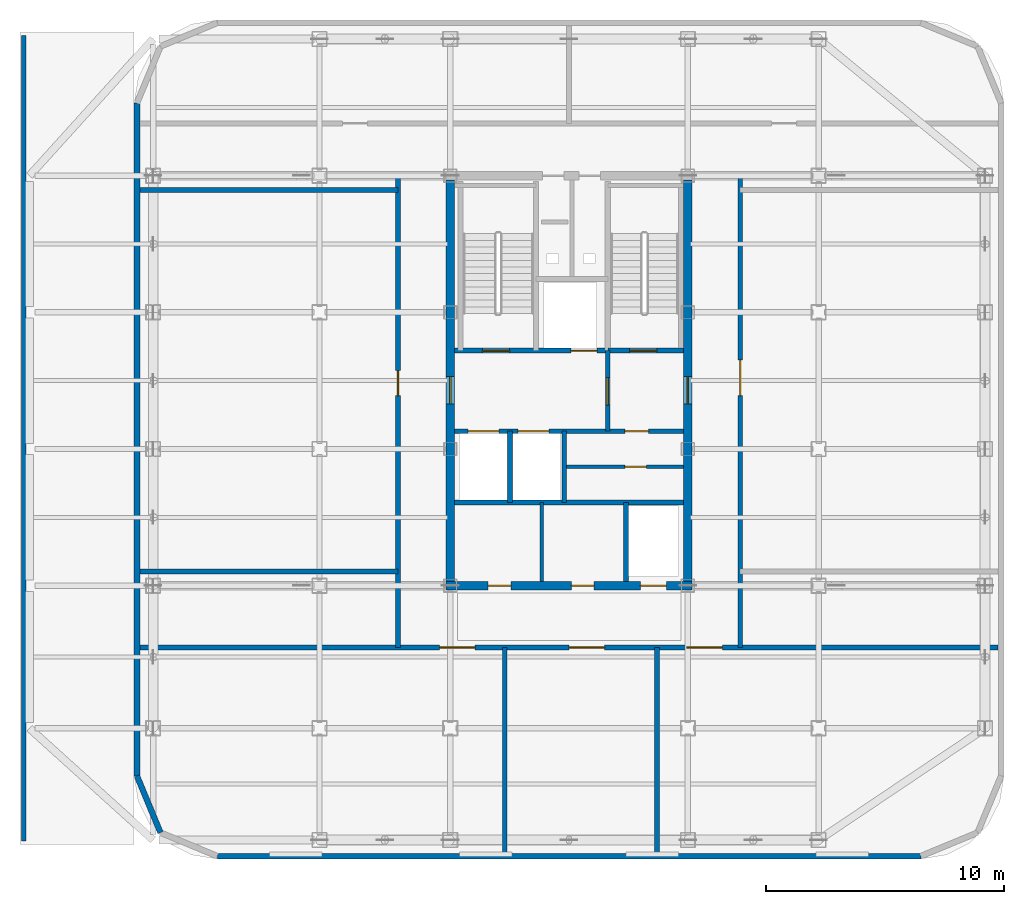
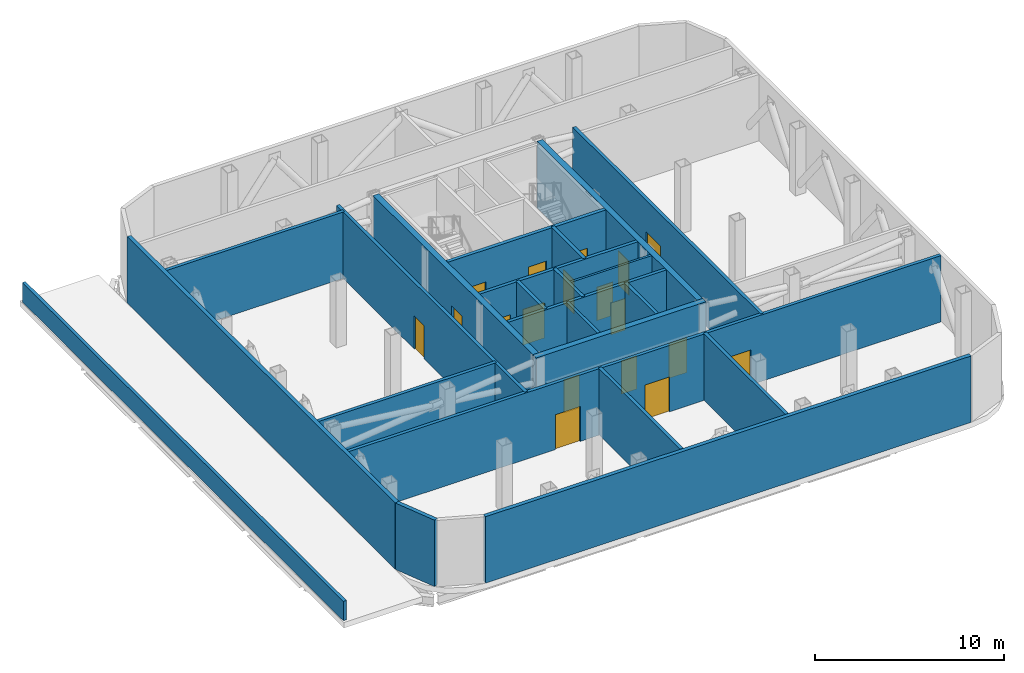
# One storey, part 5 of 7: 24 walls, 18 doors, 18 openings.
"""IFC4 building model written with IfcOpenShell, lengths in metres."""

from ifc_helpers import new_model, si_unit, direction, frame, frame_2d, origin, place, context, subcontext, project, spatial, rectangle, extrude, material, layer, layer_set, type_object, element, fill, save


model = new_model("IFC4")

# Units and contexts
model_context = context("Model", 3, precision=1e-05, world=origin(), true_north=direction((0.0, 1.0)))
body_context = subcontext(model_context, "Body", "Model", "MODEL_VIEW")
ifc_project = project(units=[si_unit("LENGTHUNIT", "METRE"), si_unit("AREAUNIT", "SQUARE_METRE"), si_unit("VOLUMEUNIT", "CUBIC_METRE"), si_unit("PLANEANGLEUNIT", "RADIAN"), si_unit("MASSUNIT", "GRAM", prefix="KILO")], contexts=[model_context])

# Site, building, storey
site_placement = place(None, origin())
site = spatial("IfcSite", under=ifc_project, at=site_placement, CompositionType="ELEMENT")
building_placement = place(site_placement, origin())
building = spatial("IfcBuilding", under=site, at=building_placement, Name="Kolveth Station Tower", CompositionType="ELEMENT")
storey_placement = place(building_placement, frame((0.0, 0.0, 215.60009765625)))
storey = spatial("IfcBuildingStorey", under=building, at=storey_placement, Name="L61", CompositionType="ELEMENT", Elevation=215.60009765625)

# Wall, openings, doors
ifc_material_1 = material(Name="Concrete C50/60", Category="concrete")
ifc_layer_1 = layer(ifc_material_1, 0.35009765625)
ifc_layer_set_1 = layer_set([ifc_layer_1], Name="Concrete C50/60")
wall_type_1 = type_object("IfcWallType", Name="Wall_CW-350", PredefinedType="SHEAR", material=ifc_layer_set_1)
wall_1_placement = place(storey_placement, frame((18.324951171875, 11.5, 0.0), z_axis=(0.0, 0.0, 1.0), x_axis=(1.0, 0.0, 0.0)))
wall_1 = element("IfcWall", 1, at=wall_1_placement, inside=storey, type_object=wall_type_1, Name="L61 Core RC Shear Wall S", PredefinedType="SHEAR", context=body_context, shape_type="SweptSolid", body=[
    extrude(rectangle(XDim=10.35009765625, YDim=0.35009765625, at=frame_2d((5.175048828125, 0.0))), origin(), (0.0, 0.0, 1.0), 4.27978515625),
])
opening_1_placement = place(wall_1_placement, frame((1.77490234375, 0.0, 0.0)))
opening_1 = element("IfcOpeningElement", 2, at=opening_1_placement, cuts=wall_1, Name="Opening ID1", PredefinedType="OPENING", context=body_context, shape_type="SweptSolid", body=[
    extrude(rectangle(XDim=0.949951171875, YDim=2.14990234375, at=frame_2d((0.47509765625, 1.074951171875))), frame((0.0, 0.18505859375, 0.0), z_axis=(0.0, -1.0, 0.0), x_axis=(1.0, 0.0, 0.0)), (0.0, 0.0, 1.0), 0.3701171875),
])
opening_2_placement = place(wall_1_placement, frame((5.27490234375, 0.0, 0.0)))
opening_2 = element("IfcOpeningElement", 3, at=opening_2_placement, cuts=wall_1, Name="Opening ID1", PredefinedType="OPENING", context=body_context, shape_type="SweptSolid", body=[
    extrude(rectangle(XDim=0.949951171875, YDim=2.14990234375, at=frame_2d((0.47509765625, 1.074951171875))), frame((0.0, 0.18505859375, 0.0), z_axis=(0.0, -1.0, 0.0), x_axis=(1.0, 0.0, 0.0)), (0.0, 0.0, 1.0), 0.3701171875),
])
opening_3_placement = place(wall_1_placement, frame((8.175048828125, 0.0, 0.0)))
opening_3 = element("IfcOpeningElement", 4, at=opening_3_placement, cuts=wall_1, Name="Opening LD1", PredefinedType="OPENING", context=body_context, shape_type="SweptSolid", body=[
    extrude(rectangle(XDim=1.10009765625, YDim=2.25, at=frame_2d((0.550048828125, 1.125))), frame((0.0, 0.18505859375, 0.0), z_axis=(0.0, -1.0, 0.0), x_axis=(1.0, 0.0, 0.0)), (0.0, 0.0, 1.0), 0.3701171875),
])
ifc_material_2 = material(Name="Acoustic hardwood leaf and aluminium frame", Category="wood")
door_type_1 = type_object("IfcDoorType", Name="Door_ID1", OperationType="NOTDEFINED", PredefinedType="DOOR", material=ifc_material_2)
door_1_placement = place(opening_1_placement, frame((0.949951171875, 0.0, 0.0), z_axis=(0.0, 0.0, 1.0), x_axis=(-1.0, 0.0, 0.0)))
door_1 = element("IfcDoor", 5, at=door_1_placement, inside=storey, type_object=door_type_1, Name="L61 Laundry Room Door", OperationType="SINGLE_SWING_LEFT", OverallHeight=2.14990234375, OverallWidth=0.949951171875, PredefinedType="DOOR", context=body_context, shape_type="SweptSolid", body=[
    extrude(rectangle(XDim=0.949951171875, YDim=2.14990234375, at=frame_2d((0.47509765625, 1.074951171875))), frame((0.0, 0.02490234375, 0.0), z_axis=(0.0, -1.0, 0.0), x_axis=(1.0, 0.0, 0.0)), (0.0, 0.0, 1.0), 0.050048828125),
])
fill(opening_1, door_1)
door_2_placement = place(opening_2_placement, frame((0.949951171875, 0.0, 0.0), z_axis=(0.0, 0.0, 1.0), x_axis=(-1.0, 0.0, 0.0)))
door_2 = element("IfcDoor", 6, at=door_2_placement, inside=storey, type_object=door_type_1, Name="L61 Parcel Room Door", OperationType="SINGLE_SWING_RIGHT", OverallHeight=2.14990234375, OverallWidth=0.949951171875, PredefinedType="DOOR", context=body_context, shape_type="SweptSolid", body=[
    extrude(rectangle(XDim=0.949951171875, YDim=2.14990234375, at=frame_2d((0.47509765625, 1.074951171875))), frame((0.0, 0.02490234375, 0.0), z_axis=(0.0, -1.0, 0.0), x_axis=(1.0, 0.0, 0.0)), (0.0, 0.0, 1.0), 0.050048828125),
])
fill(opening_2, door_2)
ifc_material_3 = material(Name="Brushed stainless steel sliding landing doors", Category="steel")
door_type_2 = type_object("IfcDoorType", Name="Door_LD1", OperationType="NOTDEFINED", PredefinedType="DOOR", material=ifc_material_3)
door_3_placement = place(opening_3_placement, frame((1.10009765625, 0.0, 0.0), z_axis=(0.0, 0.0, 1.0), x_axis=(-1.0, 0.0, 0.0)))
door_3 = element("IfcDoor", 7, at=door_3_placement, inside=storey, type_object=door_type_2, Name="L61 Lift PH1 Landing Door", OperationType="DOUBLE_DOOR_SLIDING", OverallHeight=2.25, OverallWidth=1.10009765625, PredefinedType="DOOR", context=body_context, shape_type="SweptSolid", body=[
    extrude(rectangle(XDim=1.10009765625, YDim=2.25, at=frame_2d((0.550048828125, 1.125))), frame((0.0, 0.02490234375, 0.0), z_axis=(0.0, -1.0, 0.0), x_axis=(1.0, 0.0, 0.0)), (0.0, 0.0, 1.0), 0.050048828125),
])
fill(opening_3, door_3)

# Wall, opening, door
wall_2_placement = place(storey_placement, frame((18.5, 11.675048828125, 0.0), z_axis=(0.0, 0.0, 1.0), x_axis=(0.0, 1.0, 0.0)))
wall_2 = element("IfcWall", 8, at=wall_2_placement, inside=storey, type_object=wall_type_1, Name="L61 Core RC Shear Wall W", PredefinedType="SHEAR", context=body_context, shape_type="SweptSolid", body=[
    extrude(rectangle(XDim=16.89990234375, YDim=0.35009765625, at=frame_2d((8.449951171875, 0.0))), origin(), (0.0, 0.0, 1.0), 4.27978515625),
])
opening_4_placement = place(wall_2_placement, frame((7.47509765625, 0.0, 0.0)))
opening_4 = element("IfcOpeningElement", 9, at=opening_4_placement, cuts=wall_2, Name="Opening FD1", PredefinedType="OPENING", context=body_context, shape_type="SweptSolid", body=[
    extrude(rectangle(XDim=1.14990234375, YDim=2.199951171875, at=frame_2d((0.574951171875, 1.10009765625))), frame((0.0, 0.18505859375, 0.0), z_axis=(0.0, -1.0, 0.0), x_axis=(1.0, 0.0, 0.0)), (0.0, 0.0, 1.0), 0.3701171875),
])
ifc_material_4 = material(Name="Fire-rated Steel S355 leaf and frame", Category="steel")
door_type_3 = type_object("IfcDoorType", Name="Door_FD1", OperationType="NOTDEFINED", PredefinedType="DOOR", material=ifc_material_4)
door_4_placement = place(opening_4_placement, frame((1.14990234375, 0.0, 0.0), z_axis=(0.0, 0.0, 1.0), x_axis=(-1.0, 0.0, 0.0)))
door_4 = element("IfcDoor", 10, at=door_4_placement, inside=storey, type_object=door_type_3, Name="L61 West Corridor to Firefighting Lobby Door", OperationType="SINGLE_SWING_LEFT", OverallHeight=2.199951171875, OverallWidth=1.14990234375, PredefinedType="DOOR", context=body_context, shape_type="SweptSolid", body=[
    extrude(rectangle(XDim=1.14990234375, YDim=2.199951171875, at=frame_2d((0.574951171875, 1.10009765625))), frame((0.0, 0.02490234375, 0.0), z_axis=(0.0, -1.0, 0.0), x_axis=(1.0, 0.0, 0.0)), (0.0, 0.0, 1.0), 0.050048828125),
])
fill(opening_4, door_4)

wall_3_placement = place(storey_placement, frame((28.5, 11.675048828125, 0.0), z_axis=(0.0, 0.0, 1.0), x_axis=(0.0, 1.0, 0.0)))
wall_3 = element("IfcWall", 11, at=wall_3_placement, inside=storey, type_object=wall_type_1, Name="L61 Core RC Shear Wall E", PredefinedType="SHEAR", context=body_context, shape_type="SweptSolid", body=[
    extrude(rectangle(XDim=16.89990234375, YDim=0.35009765625, at=frame_2d((8.449951171875, 0.0))), origin(), (0.0, 0.0, 1.0), 4.27978515625),
])
opening_5_placement = place(wall_3_placement, frame((7.47509765625, 0.0, 0.0)))
opening_5 = element("IfcOpeningElement", 12, at=opening_5_placement, cuts=wall_3, Name="Opening FD1", PredefinedType="OPENING", context=body_context, shape_type="SweptSolid", body=[
    extrude(rectangle(XDim=1.14990234375, YDim=2.199951171875, at=frame_2d((0.574951171875, 1.10009765625))), frame((0.0, 0.18505859375, 0.0), z_axis=(0.0, -1.0, 0.0), x_axis=(1.0, 0.0, 0.0)), (0.0, 0.0, 1.0), 0.3701171875),
])
door_5_placement = place(opening_5_placement, origin())
door_5 = element("IfcDoor", 13, at=door_5_placement, inside=storey, type_object=door_type_3, Name="L61 East Corridor to Stair Lobby Door", OperationType="SINGLE_SWING_RIGHT", OverallHeight=2.199951171875, OverallWidth=1.14990234375, PredefinedType="DOOR", context=body_context, shape_type="SweptSolid", body=[
    extrude(rectangle(XDim=1.14990234375, YDim=2.199951171875, at=frame_2d((0.574951171875, 1.10009765625))), frame((0.0, 0.02490234375, 0.0), z_axis=(0.0, -1.0, 0.0), x_axis=(1.0, 0.0, 0.0)), (0.0, 0.0, 1.0), 0.050048828125),
])
fill(opening_5, door_5)

# Walls
ifc_material_5 = material(Name="Precast concrete C40/50", Category="concrete")
ifc_layer_2 = layer(ifc_material_5, 0.239990234375)
ifc_layer_set_2 = layer_set([ifc_layer_2], Name="Precast concrete C40/50")
wall_type_2 = type_object("IfcWallType", Name="Wall_EW-240", PredefinedType="SOLIDWALL", material=ifc_layer_set_2)
wall_4_placement = place(storey_placement, frame((5.320068359375, 31.800048828125, 0.0), z_axis=(0.0, 0.0, 1.0), x_axis=(0.0, -1.0, 0.0)))
element("IfcWall", 14, at=wall_4_placement, inside=storey, type_object=wall_type_2, Name="L61 Plant Perimeter Spandrel Wall 9", PredefinedType="SOLIDWALL", context=body_context, shape_type="SweptSolid", body=[
    extrude(rectangle(XDim=28.300048828125, YDim=0.239990234375, at=frame_2d((14.14990234375, 0.0))), origin(), (0.0, 0.0, 1.0), 4.27978515625),
])
wall_5_placement = place(storey_placement, frame((5.320068359375, 3.5, 0.0), z_axis=(0.0, 0.0, 1.0), x_axis=(0.382704654048, -0.923870741917, 0.0)))
element("IfcWall", 15, at=wall_5_placement, inside=storey, type_object=wall_type_2, Name="L61 Plant Perimeter Spandrel Wall 10", PredefinedType="SOLIDWALL", context=body_context, shape_type="SweptSolid", body=[
    extrude(rectangle(XDim=2.5869140625, YDim=0.239990234375, at=frame_2d((1.29345703125, 0.0))), origin(), (0.0, 0.0, 1.0), 4.27978515625),
])
wall_6_placement = place(storey_placement, frame((8.699951171875, 0.1201171875, 0.0), z_axis=(0.0, 0.0, 1.0), x_axis=(1.0, 0.0, 0.0)))
element("IfcWall", 16, at=wall_6_placement, inside=storey, type_object=wall_type_2, Name="L61 Plant Perimeter Spandrel Wall 12", PredefinedType="SOLIDWALL", context=body_context, shape_type="SweptSolid", body=[
    extrude(rectangle(XDim=29.60009765625, YDim=0.239990234375, at=frame_2d((14.800048828125, 0.0))), origin(), (0.0, 0.0, 1.0), 4.27978515625),
])

# Wall, opening, door
ifc_material_6 = material(Name="Moisture-resistant gypsum partition")
ifc_layer_3 = layer(ifc_material_6, 0.135009765625)
ifc_layer_set_3 = layer_set([ifc_layer_3], Name="Moisture-resistant gypsum partition")
wall_type_3 = type_object("IfcWallType", Name="Wall_IW-135", PredefinedType="PARTITIONING", material=ifc_layer_set_3)
wall_7_placement = place(storey_placement, frame((23.300048828125, 16.5, 0.0), z_axis=(0.0, 0.0, 1.0), x_axis=(1.0, 0.0, 0.0)))
wall_7 = element("IfcWall", 17, at=wall_7_placement, inside=storey, type_object=wall_type_3, Name="L61 Partition Wall WL-L61-CB-H1", PredefinedType="PARTITIONING", context=body_context, shape_type="SweptSolid", body=[
    extrude(rectangle(XDim=5.014892578125, YDim=0.135009765625, at=frame_2d((2.50732421875, 0.0))), origin(), (0.0, 0.0, 1.0), 4.27978515625),
])
opening_6_placement = place(wall_7_placement, frame((2.550048828125, 0.0, 0.0)))
opening_6 = element("IfcOpeningElement", 18, at=opening_6_placement, cuts=wall_7, Name="Opening RD1", PredefinedType="OPENING", context=body_context, shape_type="SweptSolid", body=[
    extrude(rectangle(XDim=0.89990234375, YDim=2.050048828125, at=frame_2d((0.449951171875, 1.02490234375))), frame((0.0, 0.077392578125, 0.0), z_axis=(0.0, -1.0, 0.0), x_axis=(1.0, 0.0, 0.0)), (0.0, 0.0, 1.0), 0.155029296875),
])
ifc_material_7 = material(Name="Fire-rated Steel S355 riser access leaf", Category="steel")
door_type_4 = type_object("IfcDoorType", Name="Door_RD1", OperationType="NOTDEFINED", PredefinedType="DOOR", material=ifc_material_7)
door_6_placement = place(opening_6_placement, frame((0.89990234375, 0.0, 0.0), z_axis=(0.0, 0.0, 1.0), x_axis=(-1.0, 0.0, 0.0)))
door_6 = element("IfcDoor", 19, at=door_6_placement, inside=storey, type_object=door_type_4, Name="L61 Core Equipment Store Door", OperationType="SINGLE_SWING_RIGHT", OverallHeight=2.050048828125, OverallWidth=0.89990234375, PredefinedType="DOOR", context=body_context, shape_type="SweptSolid", body=[
    extrude(rectangle(XDim=0.89990234375, YDim=2.050048828125, at=frame_2d((0.449951171875, 1.02490234375))), frame((0.0, 0.02490234375, 0.0), z_axis=(0.0, -1.0, 0.0), x_axis=(1.0, 0.0, 0.0)), (0.0, 0.0, 1.0), 0.050048828125),
])
fill(opening_6, door_6)

# Wall
ifc_material_8 = material(Name="Acoustic double-stud gypsum partition")
ifc_layer_4 = layer(ifc_material_8, 0.1650390625)
ifc_layer_set_4 = layer_set([ifc_layer_4], Name="Acoustic double-stud gypsum partition")
wall_type_4 = type_object("IfcWallType", Name="Wall_IW-165", PredefinedType="PARTITIONING", material=ifc_layer_set_4)
wall_8_placement = place(storey_placement, frame((22.35009765625, 11.68505859375, 0.0), z_axis=(0.0, 0.0, 1.0), x_axis=(0.0, 1.0, 0.0)))
element("IfcWall", 20, at=wall_8_placement, inside=storey, type_object=wall_type_4, Name="L61 Partition Wall WL-L61-FR-M", PredefinedType="PARTITIONING", context=body_context, shape_type="SweptSolid", body=[
    extrude(rectangle(XDim=3.31494140625, YDim=0.1650390625, at=frame_2d((1.657470703125, 0.0))), origin(), (0.0, 0.0, 1.0), 4.27978515625),
])

# Wall, opening, door
ifc_material_9 = material(Name="Acoustic fire-rated gypsum blockwork", Category="masonry")
ifc_layer_5 = layer(ifc_material_9, 0.199951171875)
ifc_layer_set_5 = layer_set([ifc_layer_5], Name="Acoustic fire-rated gypsum blockwork")
wall_type_5 = type_object("IfcWallType", Name="Wall_IW-200", PredefinedType="PARTITIONING", material=ifc_layer_set_5)
wall_9_placement = place(storey_placement, frame((25.1298828125, 18.0, 0.0), z_axis=(0.0, 0.0, 1.0), x_axis=(0.0, 1.0, 0.0)))
wall_9 = element("IfcWall", 21, at=wall_9_placement, inside=storey, type_object=wall_type_5, Name="L61 Partition Wall WL-L61-FFL-E", PredefinedType="PARTITIONING", context=body_context, shape_type="SweptSolid", body=[
    extrude(rectangle(XDim=3.389892578125, YDim=0.199951171875, at=frame_2d((1.69482421875, 0.0))), origin(), (0.0, 0.0, 1.0), 4.27978515625),
])
opening_7_placement = place(wall_9_placement, frame((1.10009765625, 0.0, 0.0)))
opening_7 = element("IfcOpeningElement", 22, at=opening_7_placement, cuts=wall_9, Name="Opening FD1", PredefinedType="OPENING", context=body_context, shape_type="SweptSolid", body=[
    extrude(rectangle(XDim=1.14990234375, YDim=2.199951171875, at=frame_2d((0.574951171875, 1.10009765625))), frame((0.0, 0.10986328125, 0.0), z_axis=(0.0, -1.0, 0.0), x_axis=(1.0, 0.0, 0.0)), (0.0, 0.0, 1.0), 0.219970703125),
])
door_7_placement = place(opening_7_placement, origin())
door_7 = element("IfcDoor", 23, at=door_7_placement, inside=storey, type_object=door_type_3, Name="L61 Firefighting to Stair Lobby Door", OperationType="SINGLE_SWING_RIGHT", OverallHeight=2.199951171875, OverallWidth=1.14990234375, PredefinedType="DOOR", context=body_context, shape_type="SweptSolid", body=[
    extrude(rectangle(XDim=1.14990234375, YDim=2.199951171875, at=frame_2d((0.574951171875, 1.10009765625))), frame((0.0, 0.02490234375, 0.0), z_axis=(0.0, -1.0, 0.0), x_axis=(1.0, 0.0, 0.0)), (0.0, 0.0, 1.0), 0.050048828125),
])
fill(opening_7, door_7)

# Wall, openings, doors
wall_10_placement = place(storey_placement, frame((18.68505859375, 18.0, 0.0), z_axis=(0.0, 0.0, 1.0), x_axis=(1.0, 0.0, 0.0)))
wall_10 = element("IfcWall", 24, at=wall_10_placement, inside=storey, type_object=wall_type_5, Name="L61 Partition Wall WL-L61-FFL-S", PredefinedType="PARTITIONING", context=body_context, shape_type="SweptSolid", body=[
    extrude(rectangle(XDim=9.6298828125, YDim=0.199951171875, at=frame_2d((4.81494140625, 0.0))), origin(), (0.0, 0.0, 1.0), 4.27978515625),
])
opening_8_placement = place(wall_10_placement, frame((0.56494140625, 0.0, 0.0)))
opening_8 = element("IfcOpeningElement", 25, at=opening_8_placement, cuts=wall_10, Name="Opening LD2", PredefinedType="OPENING", context=body_context, shape_type="SweptSolid", body=[
    extrude(rectangle(XDim=1.300048828125, YDim=2.300048828125, at=frame_2d((0.64990234375, 1.14990234375))), frame((0.0, 0.10986328125, 0.0), z_axis=(0.0, -1.0, 0.0), x_axis=(1.0, 0.0, 0.0)), (0.0, 0.0, 1.0), 0.219970703125),
])
opening_9_placement = place(wall_10_placement, frame((2.6650390625, 0.0, 0.0)))
opening_9 = element("IfcOpeningElement", 26, at=opening_9_placement, cuts=wall_10, Name="Opening LD2", PredefinedType="OPENING", context=body_context, shape_type="SweptSolid", body=[
    extrude(rectangle(XDim=1.300048828125, YDim=2.300048828125, at=frame_2d((0.64990234375, 1.14990234375))), frame((0.0, 0.10986328125, 0.0), z_axis=(0.0, -1.0, 0.0), x_axis=(1.0, 0.0, 0.0)), (0.0, 0.0, 1.0), 0.219970703125),
])
opening_10_placement = place(wall_10_placement, frame((7.1650390625, 0.0, 0.0)))
opening_10 = element("IfcOpeningElement", 27, at=opening_10_placement, cuts=wall_10, Name="Opening FD3", PredefinedType="OPENING", context=body_context, shape_type="SweptSolid", body=[
    extrude(rectangle(XDim=1.0, YDim=2.14990234375, at=frame_2d((0.5, 1.074951171875))), frame((0.0, 0.10986328125, 0.0), z_axis=(0.0, -1.0, 0.0), x_axis=(1.0, 0.0, 0.0)), (0.0, 0.0, 1.0), 0.219970703125),
])
ifc_material_10 = material(Name="Fire-rated hardwood leaf and aluminium frame", Category="wood")
door_type_5 = type_object("IfcDoorType", Name="Door_FD3", OperationType="NOTDEFINED", PredefinedType="DOOR", material=ifc_material_10)
door_8_placement = place(opening_10_placement, frame((1.0, 0.0, 0.0), z_axis=(0.0, 0.0, 1.0), x_axis=(-1.0, 0.0, 0.0)))
door_8 = element("IfcDoor", 28, at=door_8_placement, inside=storey, type_object=door_type_5, Name="L61 Core Linen and Supply Store Door", OperationType="SINGLE_SWING_LEFT", OverallHeight=2.14990234375, OverallWidth=1.0, PredefinedType="DOOR", context=body_context, shape_type="SweptSolid", body=[
    extrude(rectangle(XDim=1.0, YDim=2.14990234375, at=frame_2d((0.5, 1.074951171875))), frame((0.0, 0.02490234375, 0.0), z_axis=(0.0, -1.0, 0.0), x_axis=(1.0, 0.0, 0.0)), (0.0, 0.0, 1.0), 0.050048828125),
])
fill(opening_10, door_8)
ifc_material_11 = material(Name="Firefighting stainless steel sliding landing doors", Category="steel")
door_type_6 = type_object("IfcDoorType", Name="Door_LD2", OperationType="NOTDEFINED", PredefinedType="DOOR", material=ifc_material_11)
door_9_placement = place(opening_8_placement, origin())
door_9 = element("IfcDoor", 29, at=door_9_placement, inside=storey, type_object=door_type_6, Name="L61 Firefighting Lift FF1 Landing Door", OperationType="DOUBLE_DOOR_SLIDING", OverallHeight=2.300048828125, OverallWidth=1.300048828125, PredefinedType="DOOR", context=body_context, shape_type="SweptSolid", body=[
    extrude(rectangle(XDim=1.300048828125, YDim=2.300048828125, at=frame_2d((0.64990234375, 1.14990234375))), frame((0.0, 0.02490234375, 0.0), z_axis=(0.0, -1.0, 0.0), x_axis=(1.0, 0.0, 0.0)), (0.0, 0.0, 1.0), 0.050048828125),
])
fill(opening_8, door_9)
door_10_placement = place(opening_9_placement, origin())
door_10 = element("IfcDoor", 30, at=door_10_placement, inside=storey, type_object=door_type_6, Name="L61 Firefighting Lift FF2 Landing Door", OperationType="DOUBLE_DOOR_SLIDING", OverallHeight=2.300048828125, OverallWidth=1.300048828125, PredefinedType="DOOR", context=body_context, shape_type="SweptSolid", body=[
    extrude(rectangle(XDim=1.300048828125, YDim=2.300048828125, at=frame_2d((0.64990234375, 1.14990234375))), frame((0.0, 0.02490234375, 0.0), z_axis=(0.0, -1.0, 0.0), x_axis=(1.0, 0.0, 0.0)), (0.0, 0.0, 1.0), 0.050048828125),
])
fill(opening_9, door_10)

# Walls
for number, where, z_axis, x_axis, name in (
    (31, (21.02001953125, 15.0, 0.0), (0.0, 0.0, 1.0), (0.0, 1.0, 0.0), "L61 Partition Wall WL-L61-FF12"),
    (32, (23.300048828125, 15.0, 0.0), (0.0, 0.0, 1.0), (0.0, 1.0, 0.0), "L61 Partition Wall WL-L61-FF2E"),
):
    element("IfcWall", number, at=place(storey_placement, frame(where, z_axis=z_axis, x_axis=x_axis)), inside=storey, type_object=wall_type_5, Name=name, PredefinedType="PARTITIONING", context=body_context, shape_type="SweptSolid", body=[
        extrude(rectangle(XDim=3.0, YDim=0.199951171875, at=frame_2d((1.5, 0.0))), origin(), (0.0, 0.0, 1.0), 4.27978515625),
    ])
wall_11_placement = place(storey_placement, frame((18.68505859375, 15.0, 0.0), z_axis=(0.0, 0.0, 1.0), x_axis=(1.0, 0.0, 0.0)))
element("IfcWall", 33, at=wall_11_placement, inside=storey, type_object=wall_type_5, Name="L61 Partition Wall WL-L61-BOH-S", PredefinedType="PARTITIONING", context=body_context, shape_type="SweptSolid", body=[
    extrude(rectangle(XDim=9.6298828125, YDim=0.199951171875, at=frame_2d((4.81494140625, 0.0))), origin(), (0.0, 0.0, 1.0), 4.27978515625),
])
wall_12_placement = place(storey_placement, frame((25.89990234375, 11.68505859375, 0.0), z_axis=(0.0, 0.0, 1.0), x_axis=(0.0, 1.0, 0.0)))
element("IfcWall", 34, at=wall_12_placement, inside=storey, type_object=wall_type_5, Name="L61 Partition Wall WL-L61-PMPH", PredefinedType="PARTITIONING", context=body_context, shape_type="SweptSolid", body=[
    extrude(rectangle(XDim=3.31494140625, YDim=0.199951171875, at=frame_2d((1.657470703125, 0.0))), origin(), (0.0, 0.0, 1.0), 4.27978515625),
])

# Wall, openings, doors
wall_13_placement = place(storey_placement, frame((5.449951171875, 8.89990234375, 0.0), z_axis=(0.0, 0.0, 1.0), x_axis=(1.0, 0.0, 0.0)))
wall_13 = element("IfcWall", 35, at=wall_13_placement, inside=storey, type_object=wall_type_5, Name="L61 Partition Wall WL-L61-PR-S", PredefinedType="PARTITIONING", context=body_context, shape_type="SweptSolid", body=[
    extrude(rectangle(XDim=36.10009765625, YDim=0.199951171875, at=frame_2d((18.050048828125, 0.0))), origin(), (0.0, 0.0, 1.0), 4.27978515625),
])
opening_11_placement = place(wall_13_placement, frame((12.60009765625, 0.0, 0.0)))
opening_11 = element("IfcOpeningElement", 36, at=opening_11_placement, cuts=wall_13, Name="Opening FD4", PredefinedType="OPENING", context=body_context, shape_type="SweptSolid", body=[
    extrude(rectangle(XDim=1.5, YDim=2.25, at=frame_2d((0.75, 1.125))), frame((0.0, 0.10986328125, 0.0), z_axis=(0.0, -1.0, 0.0), x_axis=(1.0, 0.0, 0.0)), (0.0, 0.0, 1.0), 0.219970703125),
])
opening_12_placement = place(wall_13_placement, frame((18.050048828125, 0.0, 0.0)))
opening_12 = element("IfcOpeningElement", 37, at=opening_12_placement, cuts=wall_13, Name="Opening FD4", PredefinedType="OPENING", context=body_context, shape_type="SweptSolid", body=[
    extrude(rectangle(XDim=1.5, YDim=2.25, at=frame_2d((0.75, 1.125))), frame((0.0, 0.10986328125, 0.0), z_axis=(0.0, -1.0, 0.0), x_axis=(1.0, 0.0, 0.0)), (0.0, 0.0, 1.0), 0.219970703125),
])
opening_13_placement = place(wall_13_placement, frame((23.0, 0.0, 0.0)))
opening_13 = element("IfcOpeningElement", 38, at=opening_13_placement, cuts=wall_13, Name="Opening FD4", PredefinedType="OPENING", context=body_context, shape_type="SweptSolid", body=[
    extrude(rectangle(XDim=1.5, YDim=2.25, at=frame_2d((0.75, 1.125))), frame((0.0, 0.10986328125, 0.0), z_axis=(0.0, -1.0, 0.0), x_axis=(1.0, 0.0, 0.0)), (0.0, 0.0, 1.0), 0.219970703125),
])
ifc_material_12 = material(Name="Fire-rated double Steel S355 leaf", Category="steel")
door_type_7 = type_object("IfcDoorType", Name="Door_FD4", OperationType="NOTDEFINED", PredefinedType="DOOR", material=ifc_material_12)
door_11_placement = place(opening_11_placement, frame((1.5, 0.0, 0.0), z_axis=(0.0, 0.0, 1.0), x_axis=(-1.0, 0.0, 0.0)))
door_11 = element("IfcDoor", 39, at=door_11_placement, inside=storey, type_object=door_type_7, Name="L61 Chiller Plant Room Door", OperationType="SINGLE_SWING_LEFT", OverallHeight=2.25, OverallWidth=1.5, PredefinedType="DOOR", context=body_context, shape_type="SweptSolid", body=[
    extrude(rectangle(XDim=1.5, YDim=2.25, at=frame_2d((0.75, 1.125))), frame((0.0, 0.02490234375, 0.0), z_axis=(0.0, -1.0, 0.0), x_axis=(1.0, 0.0, 0.0)), (0.0, 0.0, 1.0), 0.050048828125),
])
fill(opening_11, door_11)
door_12_placement = place(opening_12_placement, frame((1.5, 0.0, 0.0), z_axis=(0.0, 0.0, 1.0), x_axis=(-1.0, 0.0, 0.0)))
door_12 = element("IfcDoor", 40, at=door_12_placement, inside=storey, type_object=door_type_7, Name="L61 Refuge Area South Door", OperationType="SINGLE_SWING_RIGHT", OverallHeight=2.25, OverallWidth=1.5, PredefinedType="DOOR", context=body_context, shape_type="SweptSolid", body=[
    extrude(rectangle(XDim=1.5, YDim=2.25, at=frame_2d((0.75, 1.125))), frame((0.0, 0.02490234375, 0.0), z_axis=(0.0, -1.0, 0.0), x_axis=(1.0, 0.0, 0.0)), (0.0, 0.0, 1.0), 0.050048828125),
])
fill(opening_12, door_12)
door_13_placement = place(opening_13_placement, frame((1.5, 0.0, 0.0), z_axis=(0.0, 0.0, 1.0), x_axis=(-1.0, 0.0, 0.0)))
door_13 = element("IfcDoor", 41, at=door_13_placement, inside=storey, type_object=door_type_7, Name="L61 Medium Voltage Switchgear Room Door", OperationType="SINGLE_SWING_LEFT", OverallHeight=2.25, OverallWidth=1.5, PredefinedType="DOOR", context=body_context, shape_type="SweptSolid", body=[
    extrude(rectangle(XDim=1.5, YDim=2.25, at=frame_2d((0.75, 1.125))), frame((0.0, 0.02490234375, 0.0), z_axis=(0.0, -1.0, 0.0), x_axis=(1.0, 0.0, 0.0)), (0.0, 0.0, 1.0), 0.050048828125),
])
fill(opening_13, door_13)

# Wall, opening, door
wall_14_placement = place(storey_placement, frame((16.300048828125, 8.89990234375, 0.0), z_axis=(0.0, 0.0, 1.0), x_axis=(0.0, 1.0, 0.0)))
wall_14 = element("IfcWall", 42, at=wall_14_placement, inside=storey, type_object=wall_type_5, Name="L61 Partition Wall WL-L61-PR-W", PredefinedType="PARTITIONING", context=body_context, shape_type="SweptSolid", body=[
    extrude(rectangle(XDim=19.85009765625, YDim=0.199951171875, at=frame_2d((9.925048828125, 0.0))), origin(), (0.0, 0.0, 1.0), 4.27978515625),
])
opening_14_placement = place(wall_14_placement, frame((10.60009765625, 0.0, 0.0)))
opening_14 = element("IfcOpeningElement", 43, at=opening_14_placement, cuts=wall_14, Name="Opening FD2", PredefinedType="OPENING", context=body_context, shape_type="SweptSolid", body=[
    extrude(rectangle(XDim=1.050048828125, YDim=2.14990234375, at=frame_2d((0.52490234375, 1.074951171875))), frame((0.0, 0.10986328125, 0.0), z_axis=(0.0, -1.0, 0.0), x_axis=(1.0, 0.0, 0.0)), (0.0, 0.0, 1.0), 0.219970703125),
])
door_type_8 = type_object("IfcDoorType", Name="Door_FD2", OperationType="NOTDEFINED", PredefinedType="DOOR", material=ifc_material_4)
door_14_placement = place(opening_14_placement, frame((1.050048828125, 0.0, 0.0), z_axis=(0.0, 0.0, 1.0), x_axis=(-1.0, 0.0, 0.0)))
door_14 = element("IfcDoor", 44, at=door_14_placement, inside=storey, type_object=door_type_8, Name="L61 Smoke Plant Room Door", OperationType="SINGLE_SWING_RIGHT", OverallHeight=2.14990234375, OverallWidth=1.050048828125, PredefinedType="DOOR", context=body_context, shape_type="SweptSolid", body=[
    extrude(rectangle(XDim=1.050048828125, YDim=2.14990234375, at=frame_2d((0.52490234375, 1.074951171875))), frame((0.0, 0.02490234375, 0.0), z_axis=(0.0, -1.0, 0.0), x_axis=(1.0, 0.0, 0.0)), (0.0, 0.0, 1.0), 0.050048828125),
])
fill(opening_14, door_14)

wall_15_placement = place(storey_placement, frame((30.699951171875, 8.89990234375, 0.0), z_axis=(0.0, 0.0, 1.0), x_axis=(0.0, 1.0, 0.0)))
wall_15 = element("IfcWall", 45, at=wall_15_placement, inside=storey, type_object=wall_type_5, Name="L61 Partition Wall WL-L61-PR-E", PredefinedType="PARTITIONING", context=body_context, shape_type="SweptSolid", body=[
    extrude(rectangle(XDim=19.85009765625, YDim=0.199951171875, at=frame_2d((9.925048828125, 0.0))), origin(), (0.0, 0.0, 1.0), 4.27978515625),
])
opening_15_placement = place(wall_15_placement, frame((10.60009765625, 0.0, 0.0)))
opening_15 = element("IfcOpeningElement", 46, at=opening_15_placement, cuts=wall_15, Name="Opening FD4", PredefinedType="OPENING", context=body_context, shape_type="SweptSolid", body=[
    extrude(rectangle(XDim=1.5, YDim=2.25, at=frame_2d((0.75, 1.125))), frame((0.0, 0.10986328125, 0.0), z_axis=(0.0, -1.0, 0.0), x_axis=(1.0, 0.0, 0.0)), (0.0, 0.0, 1.0), 0.219970703125),
])
door_15_placement = place(opening_15_placement, origin())
door_15 = element("IfcDoor", 47, at=door_15_placement, inside=storey, type_object=door_type_7, Name="L61 Heat Recovery Plant Door", OperationType="DOUBLE_DOOR_SINGLE_SWING", OverallHeight=2.25, OverallWidth=1.5, PredefinedType="DOOR", context=body_context, shape_type="SweptSolid", body=[
    extrude(rectangle(XDim=1.5, YDim=2.25, at=frame_2d((0.75, 1.125))), frame((0.0, 0.02490234375, 0.0), z_axis=(0.0, -1.0, 0.0), x_axis=(1.0, 0.0, 0.0)), (0.0, 0.0, 1.0), 0.050048828125),
])
fill(opening_15, door_15)

# Walls
for number, where, z_axis, x_axis, name in (
    (48, (20.800048828125, 0.25, 0.0), (0.0, 0.0, 1.0), (0.0, 1.0, 0.0), "L61 Partition Wall WL-L61-PS-P1"),
    (49, (27.199951171875, 0.25, 0.0), (0.0, 0.0, 1.0), (0.0, 1.0, 0.0), "L61 Partition Wall WL-L61-PS-P2"),
):
    element("IfcWall", number, at=place(storey_placement, frame(where, z_axis=z_axis, x_axis=x_axis)), inside=storey, type_object=wall_type_5, Name=name, PredefinedType="PARTITIONING", context=body_context, shape_type="SweptSolid", body=[
        extrude(rectangle(XDim=8.64990234375, YDim=0.199951171875, at=frame_2d((4.324951171875, 0.0))), origin(), (0.0, 0.0, 1.0), 4.27978515625),
    ])
for number, where, z_axis, x_axis, name in (
    (50, (5.449951171875, 12.10009765625, 0.0), (0.0, 0.0, 1.0), (1.0, 0.0, 0.0), "L61 Partition Wall WL-L61-OG-WS"),
    (51, (5.449951171875, 28.14990234375, 0.0), (0.0, 0.0, 1.0), (1.0, 0.0, 0.0), "L61 Partition Wall WL-L61-OG-WN"),
):
    element("IfcWall", number, at=place(storey_placement, frame(where, z_axis=z_axis, x_axis=x_axis)), inside=storey, type_object=wall_type_5, Name=name, PredefinedType="PARTITIONING", context=body_context, shape_type="SweptSolid", body=[
        extrude(rectangle(XDim=10.85009765625, YDim=0.199951171875, at=frame_2d((5.425048828125, 0.0))), origin(), (0.0, 0.0, 1.0), 4.27978515625),
    ])

# Wall, openings, doors
ifc_material_13 = material(Name="Concrete C40/50", Category="concrete")
ifc_layer_6 = layer(ifc_material_13, 0.219970703125)
ifc_layer_set_6 = layer_set([ifc_layer_6], Name="Concrete C40/50")
wall_type_6 = type_object("IfcWallType", Name="Wall_IW-220", PredefinedType="SOLIDWALL", material=ifc_layer_set_6)
wall_16_placement = place(storey_placement, frame((18.68505859375, 21.389892578125, 0.0), z_axis=(0.0, 0.0, 1.0), x_axis=(1.0, 0.0, 0.0)))
wall_16 = element("IfcWall", 52, at=wall_16_placement, inside=storey, type_object=wall_type_6, Name="L61 Stair Shaft Wall WL-L61-ST1-S", PredefinedType="SOLIDWALL", context=body_context, shape_type="SweptSolid", body=[
    extrude(rectangle(XDim=6.44482421875, YDim=0.219970703125, at=frame_2d((3.222412109375, 0.0))), origin(), (0.0, 0.0, 1.0), 4.27978515625),
])
opening_16_placement = place(wall_16_placement, frame((1.1650390625, 0.0, 0.0)))
opening_16 = element("IfcOpeningElement", 53, at=opening_16_placement, cuts=wall_16, Name="Opening FD1", PredefinedType="OPENING", context=body_context, shape_type="SweptSolid", body=[
    extrude(rectangle(XDim=1.14990234375, YDim=2.199951171875, at=frame_2d((0.574951171875, 1.10009765625))), frame((0.0, 0.119873046875, 0.0), z_axis=(0.0, -1.0, 0.0), x_axis=(1.0, 0.0, 0.0)), (0.0, 0.0, 1.0), 0.239990234375),
])
opening_17_placement = place(wall_16_placement, frame((4.89501953125, 0.0, 0.0)))
opening_17 = element("IfcOpeningElement", 54, at=opening_17_placement, cuts=wall_16, Name="Opening LD1", PredefinedType="OPENING", context=body_context, shape_type="SweptSolid", body=[
    extrude(rectangle(XDim=1.10009765625, YDim=2.25, at=frame_2d((0.550048828125, 1.125))), frame((0.0, 0.119873046875, 0.0), z_axis=(0.0, -1.0, 0.0), x_axis=(1.0, 0.0, 0.0)), (0.0, 0.0, 1.0), 0.239990234375),
])
door_16_placement = place(opening_16_placement, frame((1.14990234375, 0.0, 0.0), z_axis=(0.0, 0.0, 1.0), x_axis=(-1.0, 0.0, 0.0)))
door_16 = element("IfcDoor", 55, at=door_16_placement, inside=storey, type_object=door_type_3, Name="L61 Stair ST1 Fire Door", OperationType="SINGLE_SWING_RIGHT", OverallHeight=2.199951171875, OverallWidth=1.14990234375, PredefinedType="DOOR", context=body_context, shape_type="SweptSolid", body=[
    extrude(rectangle(XDim=1.14990234375, YDim=2.199951171875, at=frame_2d((0.574951171875, 1.10009765625))), frame((0.0, 0.02490234375, 0.0), z_axis=(0.0, -1.0, 0.0), x_axis=(1.0, 0.0, 0.0)), (0.0, 0.0, 1.0), 0.050048828125),
])
fill(opening_16, door_16)
door_17_placement = place(opening_17_placement, frame((1.10009765625, 0.0, 0.0), z_axis=(0.0, 0.0, 1.0), x_axis=(-1.0, 0.0, 0.0)))
door_17 = element("IfcDoor", 56, at=door_17_placement, inside=storey, type_object=door_type_2, Name="L61 Service Lift SV1 Landing Door", OperationType="DOUBLE_DOOR_SLIDING", OverallHeight=2.25, OverallWidth=1.10009765625, PredefinedType="DOOR", context=body_context, shape_type="SweptSolid", body=[
    extrude(rectangle(XDim=1.10009765625, YDim=2.25, at=frame_2d((0.550048828125, 1.125))), frame((0.0, 0.02490234375, 0.0), z_axis=(0.0, -1.0, 0.0), x_axis=(1.0, 0.0, 0.0)), (0.0, 0.0, 1.0), 0.050048828125),
])
fill(opening_17, door_17)

# Wall, opening, door
wall_17_placement = place(storey_placement, frame((25.1298828125, 21.389892578125, 0.0), z_axis=(0.0, 0.0, 1.0), x_axis=(1.0, 0.0, 0.0)))
wall_17 = element("IfcWall", 57, at=wall_17_placement, inside=storey, type_object=wall_type_6, Name="L61 Stair Shaft Wall WL-L61-ST2-S", PredefinedType="SOLIDWALL", context=body_context, shape_type="SweptSolid", body=[
    extrude(rectangle(XDim=3.18505859375, YDim=0.219970703125, at=frame_2d((1.592529296875, 0.0))), origin(), (0.0, 0.0, 1.0), 4.27978515625),
])
opening_18_placement = place(wall_17_placement, frame((0.919921875, 0.0, 0.0)))
opening_18 = element("IfcOpeningElement", 58, at=opening_18_placement, cuts=wall_17, Name="Opening FD1", PredefinedType="OPENING", context=body_context, shape_type="SweptSolid", body=[
    extrude(rectangle(XDim=1.14990234375, YDim=2.199951171875, at=frame_2d((0.574951171875, 1.10009765625))), frame((0.0, 0.119873046875, 0.0), z_axis=(0.0, -1.0, 0.0), x_axis=(1.0, 0.0, 0.0)), (0.0, 0.0, 1.0), 0.239990234375),
])
door_18_placement = place(opening_18_placement, frame((1.14990234375, 0.0, 0.0), z_axis=(0.0, 0.0, 1.0), x_axis=(-1.0, 0.0, 0.0)))
door_18 = element("IfcDoor", 59, at=door_18_placement, inside=storey, type_object=door_type_3, Name="L61 Stair ST2 Fire Door", OperationType="SINGLE_SWING_LEFT", OverallHeight=2.199951171875, OverallWidth=1.14990234375, PredefinedType="DOOR", context=body_context, shape_type="SweptSolid", body=[
    extrude(rectangle(XDim=1.14990234375, YDim=2.199951171875, at=frame_2d((0.574951171875, 1.10009765625))), frame((0.0, 0.02490234375, 0.0), z_axis=(0.0, -1.0, 0.0), x_axis=(1.0, 0.0, 0.0)), (0.0, 0.0, 1.0), 0.050048828125),
])
fill(opening_18, door_18)

# Wall
ifc_layer_7 = layer(ifc_material_5, 0.18994140625)
ifc_layer_set_7 = layer_set([ifc_layer_7], Name="Precast concrete C40/50")
wall_type_7 = type_object("IfcWallType", Name="Wall_PR-190", PredefinedType="PARAPET", material=ifc_layer_set_7)
wall_18_placement = place(storey_placement, frame((0.550048828125, 0.75, 0.0), z_axis=(0.0, 0.0, 1.0), x_axis=(0.0, 1.0, 0.0)))
element("IfcWall", 60, at=wall_18_placement, inside=storey, type_object=wall_type_7, Name="L61 West Drop-Off Roof Parapet", PredefinedType="PARAPET", context=body_context, shape_type="SweptSolid", body=[
    extrude(rectangle(XDim=33.89990234375, YDim=0.18994140625, at=frame_2d((16.949951171875, 0.0))), origin(), (0.0, 0.0, 1.0), 1.25),
])

save(model, "model.ifc")
